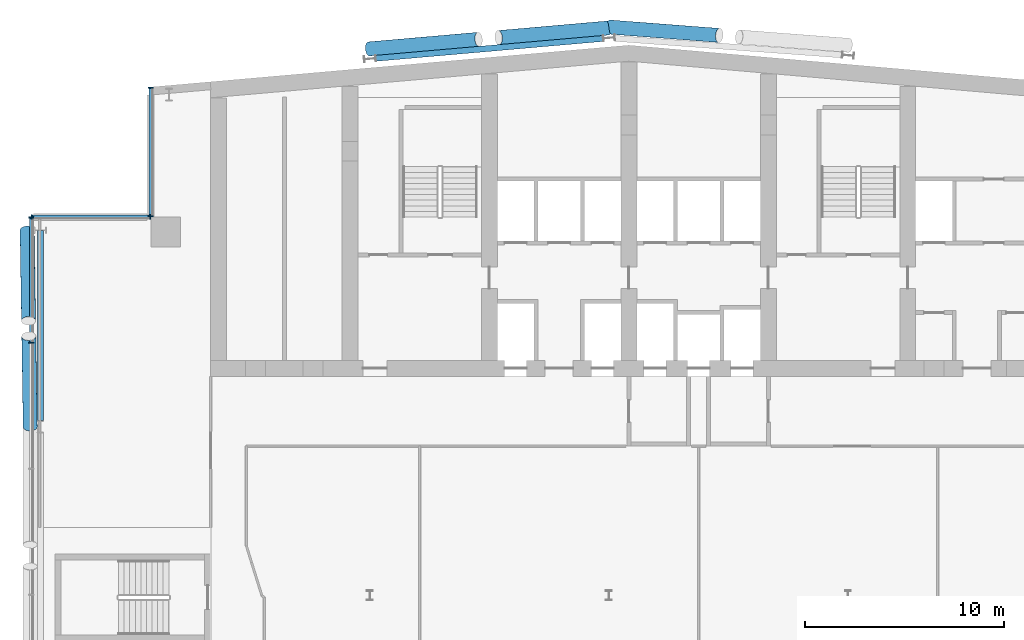
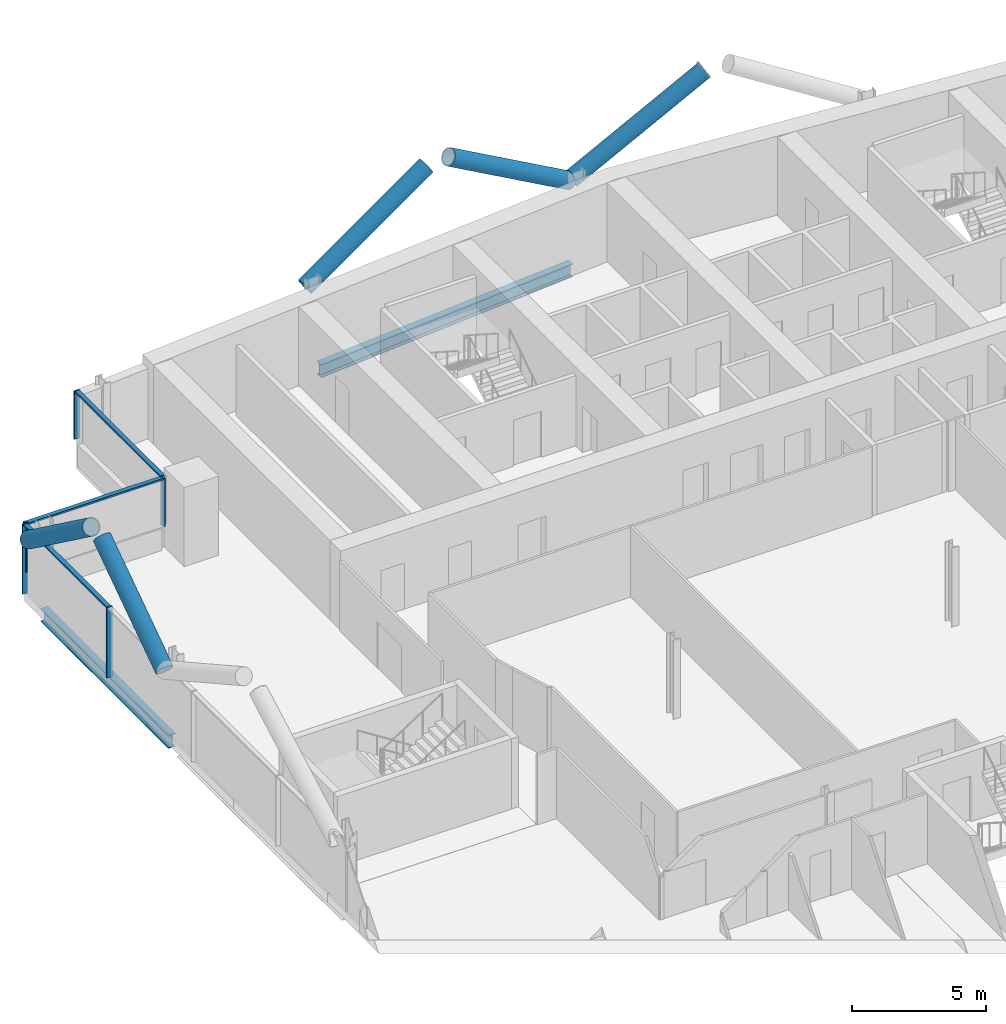
# One storey, part 9 of 26: 14 members, 2 beams, 3 elements without a shape of their own.
"""IFC4 building model written with IfcOpenShell, lengths in metres."""

from ifc_helpers import new_model, si_unit, direction, frame, origin, origin_2d, place, context, subcontext, project, spatial, rectangle, hollow_circle, i_section, extrude, material, material_profile, profile_set, type_object, element, aggregate, save


model = new_model("IFC4")

# Units and contexts
model_context = context("Model", 3, precision=1e-05, world=origin(), true_north=direction((0.0, 1.0)))
body_context = subcontext(model_context, "Body", "Model", "MODEL_VIEW")
ifc_project = project(units=[si_unit("LENGTHUNIT", "METRE"), si_unit("AREAUNIT", "SQUARE_METRE"), si_unit("VOLUMEUNIT", "CUBIC_METRE"), si_unit("PLANEANGLEUNIT", "RADIAN"), si_unit("MASSUNIT", "GRAM", prefix="KILO")], contexts=[model_context])

# Site, building, storey
site_placement = place(None, origin())
site = spatial("IfcSite", under=ifc_project, at=site_placement, CompositionType="ELEMENT")
building_placement = place(site_placement, origin())
building = spatial("IfcBuilding", under=site, at=building_placement, Name="Wharfspan Tower", CompositionType="ELEMENT")
storey_placement = place(building_placement, frame((0.0, 0.0, 177.100098)))
storey = spatial("IfcBuildingStorey", under=building, at=storey_placement, Name="L43", CompositionType="ELEMENT", Elevation=177.100098)

# Beams
ifc_material_1 = material(Name="Steel S355J2", Category="steel")
ifc_material_profile_1 = material_profile(ifc_material_1, i_section(OverallWidth=0.300049, OverallDepth=0.600098, WebThickness=0.015381, FlangeThickness=0.030029, FilletRadius=0.0271, at=origin_2d()))
ifc_profile_set_1 = profile_set([ifc_material_profile_1], Name="Steel S355J2")
beam_type = type_object("IfcBeamType", Name="Edge beam HEB 600", PredefinedType="SPANDREL", material=ifc_profile_set_1)
beam_1_placement = place(storey_placement, frame((35.705078, 50.961426, -0.700195), z_axis=(-0.996194, -0.087158, 0.0), x_axis=(0.087158, -0.996194, 0.0)))
element("IfcBeam", 1, at=beam_1_placement, inside=storey, type_object=beam_type, Name="Edge beam N1 L43 R.2 to R.1", PredefinedType="SPANDREL", context=body_context, shape_type="SweptSolid", body=[
    extrude(i_section(OverallWidth=0.300049, OverallDepth=0.600098, WebThickness=0.015381, FlangeThickness=0.030029, FilletRadius=0.0271, at=origin_2d()), origin(), (0.0, 0.0, 1.0), 11.453857),
])
beam_2_placement = place(storey_placement, frame((7.450439, 41.32666, -0.700195), z_axis=(-5.1e-05, -1.0, 0.0), x_axis=(1.0, -5.1e-05, 0.0)))
element("IfcBeam", 2, at=beam_2_placement, inside=storey, type_object=beam_type, Name="Edge beam W L43 PNRW-H.1 to PW.1", PredefinedType="SPANDREL", context=body_context, shape_type="SweptSolid", body=[
    extrude(i_section(OverallWidth=0.300049, OverallDepth=0.600098, WebThickness=0.015381, FlangeThickness=0.030029, FilletRadius=0.0271, at=origin_2d()), origin(), (0.0, 0.0, 1.0), 9.553955),
])

# Curtain wall, members
ifc_material_2 = material(Name="Aluminium 6063-T6", Category="aluminium")
curtain_wall_type = type_object("IfcCurtainWallType", Name="CURTAIN WALL PROW AND END", PredefinedType="NOTDEFINED", material=ifc_material_2)
curtain_wall_1_placement = place(storey_placement, origin())
curtain_wall_1 = element("IfcCurtainWall", 3, at=curtain_wall_1_placement, inside=storey, type_object=curtain_wall_type, Name="Curtain wall NRW-V", PredefinedType="NOTDEFINED")
ifc_material_profile_2 = material_profile(ifc_material_2, rectangle(XDim=0.23999, YDim=0.060059, at=origin_2d()))
ifc_profile_set_2 = profile_set([ifc_material_profile_2], Name="Aluminium 6063-T6")
member_type_1 = type_object("IfcMemberType", Name="MULLION PROW AND END 60x240", PredefinedType="MULLION", material=ifc_profile_set_2)
member_1_placement = place(storey_placement, frame((13.0, 48.494873, 1.0), z_axis=(0.0, 0.0, 1.0), x_axis=(1.0, 0.0, 0.0)))
member_1 = element("IfcMember", 4, at=member_1_placement, type_object=member_type_1, Name="Curtain wall NRW-V mullion 1", PredefinedType="MULLION", context=body_context, shape_type="SweptSolid", body=[
    extrude(rectangle(XDim=0.23999, YDim=0.060059, at=origin_2d()), origin(), (0.0, 0.0, 1.0), 2.199951),
])
member_2_placement = place(storey_placement, frame((13.0, 42.030029, 1.0), z_axis=(0.0, 0.0, 1.0), x_axis=(1.0, 0.0, 0.0)))
member_2 = element("IfcMember", 5, at=member_2_placement, type_object=member_type_1, Name="Curtain wall NRW-V mullion 2", PredefinedType="MULLION", context=body_context, shape_type="SweptSolid", body=[
    extrude(rectangle(XDim=0.23999, YDim=0.060059, at=origin_2d()), origin(), (0.0, 0.0, 1.0), 2.199951),
])

curtain_wall_2_placement = place(storey_placement, origin())
curtain_wall_2 = element("IfcCurtainWall", 6, at=curtain_wall_2_placement, inside=storey, type_object=curtain_wall_type, Name="Curtain wall NRW-H", PredefinedType="NOTDEFINED")
member_3_placement = place(storey_placement, frame((12.969971, 42.0, 1.0), z_axis=(0.0, 0.0, 1.0), x_axis=(0.0, -1.0, 0.0)))
member_3 = element("IfcMember", 7, at=member_3_placement, type_object=member_type_1, Name="Curtain wall NRW-H mullion 1", PredefinedType="MULLION", context=body_context, shape_type="SweptSolid", body=[
    extrude(rectangle(XDim=0.23999, YDim=0.060059, at=origin_2d()), origin(), (0.0, 0.0, 1.0), 2.199951),
])
member_4_placement = place(storey_placement, frame((7.030029, 42.0, 1.0), z_axis=(0.0, 0.0, 1.0), x_axis=(0.0, -1.0, 0.0)))
member_4 = element("IfcMember", 8, at=member_4_placement, type_object=member_type_1, Name="Curtain wall NRW-H mullion 2", PredefinedType="MULLION", context=body_context, shape_type="SweptSolid", body=[
    extrude(rectangle(XDim=0.23999, YDim=0.060059, at=origin_2d()), origin(), (0.0, 0.0, 1.0), 2.199951),
])

curtain_wall_3_placement = place(storey_placement, origin())
curtain_wall_3 = element("IfcCurtainWall", 9, at=curtain_wall_3_placement, inside=storey, type_object=curtain_wall_type, Name="Curtain wall W", PredefinedType="NOTDEFINED")
member_5_placement = place(storey_placement, frame((7.0, 41.969971, 0.0), z_axis=(0.0, 0.0, 1.0), x_axis=(1.0, 0.0, 0.0)))
member_5 = element("IfcMember", 10, at=member_5_placement, type_object=member_type_1, Name="Curtain wall W mullion 1", PredefinedType="MULLION", context=body_context, shape_type="SweptSolid", body=[
    extrude(rectangle(XDim=0.23999, YDim=0.060059, at=origin_2d()), origin(), (0.0, 0.0, 1.0), 3.199951),
])
member_6_placement = place(storey_placement, frame((7.0, 35.679932, 0.0), z_axis=(0.0, 0.0, 1.0), x_axis=(1.0, 0.0, 0.0)))
member_6 = element("IfcMember", 11, at=member_6_placement, type_object=member_type_1, Name="Curtain wall W mullion 2", PredefinedType="MULLION", context=body_context, shape_type="SweptSolid", body=[
    extrude(rectangle(XDim=0.23999, YDim=0.060059, at=origin_2d()), origin(), (0.0, 0.0, 1.0), 3.199951),
])

# Members
ifc_material_3 = material(Name="Steel S460NH", Category="steel")
ifc_material_profile_3 = material_profile(ifc_material_3, hollow_circle(Radius=0.355469, WallThickness=0.035889, at=origin_2d()))
ifc_profile_set_3 = profile_set([ifc_material_profile_3], Name="Steel S460NH")
member_type_2 = type_object("IfcMemberType", Name="Mega brace CHS 711x36", PredefinedType="BRACE", material=ifc_profile_set_3)
for number, where, z_axis, x_axis, name in (
    (12, (6.788086, 41.333008, 2.899902), (0.01285, -0.807696, 0.589459), (0.999875, 0.015906, -2e-06), "Mega brace W4 L44 part 1"),
    (13, (6.945068, 31.466553, 2.899902), (-0.01285, 0.807711, 0.589439), (-0.999876, -0.015905, -3e-06), "Mega brace W4 L44 part 3"),
):
    element("IfcMember", number, at=place(storey_placement, frame(where, z_axis=z_axis, x_axis=x_axis)), inside=storey, type_object=member_type_2, Name=name, PredefinedType="BRACE", context=body_context, shape_type="SweptSolid", body=[
        extrude(hollow_circle(Radius=0.355469, WallThickness=0.035889, at=origin_2d()), origin(), (0.0, 0.0, 1.0), 5.623779),
    ])
member_7_placement = place(storey_placement, frame((23.956299, 50.437988, 2.899902), z_axis=(0.855083, 0.074809, 0.513065), x_axis=(-0.087154, 0.996196, -1e-06)))
element("IfcMember", 14, at=member_7_placement, inside=storey, type_object=member_type_2, Name="Mega brace N7 L44 part 1", PredefinedType="BRACE", context=body_context, shape_type="SweptSolid", body=[
    extrude(hollow_circle(Radius=0.355469, WallThickness=0.035889, at=origin_2d()), origin(), (0.0, 0.0, 1.0), 6.425781),
])
member_8_placement = place(storey_placement, frame((35.956299, 51.487793, 2.899902), z_axis=(-0.855094, -0.074807, 0.513049), x_axis=(0.087152, -0.996192, 2e-06)))
element("IfcMember", 15, at=member_8_placement, inside=storey, type_object=member_type_2, Name="Mega brace N7 L44 part 3", PredefinedType="BRACE", context=body_context, shape_type="SweptSolid", body=[
    extrude(hollow_circle(Radius=0.355469, WallThickness=0.035889, at=origin_2d()), origin(), (0.0, 0.0, 1.0), 6.426025),
])
member_9_placement = place(storey_placement, frame((36.039795, 51.53418, 2.899902), z_axis=(0.855612, -0.065363, 0.513474), x_axis=(0.07617, 0.997093, 2e-06)))
element("IfcMember", 16, at=member_9_placement, inside=storey, type_object=member_type_2, Name="Mega brace N8 L44 part 1", PredefinedType="BRACE", context=body_context, shape_type="SweptSolid", body=[
    extrude(hollow_circle(Radius=0.355469, WallThickness=0.035889, at=origin_2d()), origin(), (0.0, 0.0, 1.0), 6.420654),
])

# Member
ifc_material_profile_4 = material_profile(ifc_material_2, rectangle(XDim=0.179932, YDim=0.080078, at=origin_2d()))
ifc_profile_set_4 = profile_set([ifc_material_profile_4], Name="Aluminium 6063-T6")
member_type_3 = type_object("IfcMemberType", Name="TRANSOM PROW AND END 80x180", PredefinedType="USERDEFINED", material=ifc_profile_set_4)
member_10_placement = place(storey_placement, frame((13.0, 48.464844, 3.159912), z_axis=(0.0, -1.0, 0.0), x_axis=(1.0, 0.0, 0.0)))
member_10 = element("IfcMember", 17, at=member_10_placement, type_object=member_type_3, Name="Curtain wall NRW-V transom 1", ObjectType="TRANSOM", PredefinedType="USERDEFINED", context=body_context, shape_type="SweptSolid", body=[
    extrude(rectangle(XDim=0.179932, YDim=0.080078, at=origin_2d()), origin(), (0.0, 0.0, 1.0), 6.404785),
])

aggregate(curtain_wall_1, [member_1, member_2, member_10])

member_11_placement = place(storey_placement, frame((12.939941, 42.0, 3.159912), z_axis=(-1.0, 0.0, 0.0), x_axis=(0.0, -1.0, 0.0)))
member_11 = element("IfcMember", 18, at=member_11_placement, type_object=member_type_3, Name="Curtain wall NRW-H transom 1", ObjectType="TRANSOM", PredefinedType="USERDEFINED", context=body_context, shape_type="SweptSolid", body=[
    extrude(rectangle(XDim=0.179932, YDim=0.080078, at=origin_2d()), origin(), (0.0, 0.0, 1.0), 5.879883),
])

aggregate(curtain_wall_2, [member_3, member_4, member_11])

member_12_placement = place(storey_placement, frame((7.0, 41.939941, 3.159912), z_axis=(0.0, -1.0, 0.0), x_axis=(1.0, 0.0, 0.0)))
member_12 = element("IfcMember", 19, at=member_12_placement, type_object=member_type_3, Name="Curtain wall W transom 1", ObjectType="TRANSOM", PredefinedType="USERDEFINED", context=body_context, shape_type="SweptSolid", body=[
    extrude(rectangle(XDim=0.179932, YDim=0.080078, at=origin_2d()), origin(), (0.0, 0.0, 1.0), 6.22998),
])

aggregate(curtain_wall_3, [member_5, member_6, member_12])

save(model, "model.ifc")
